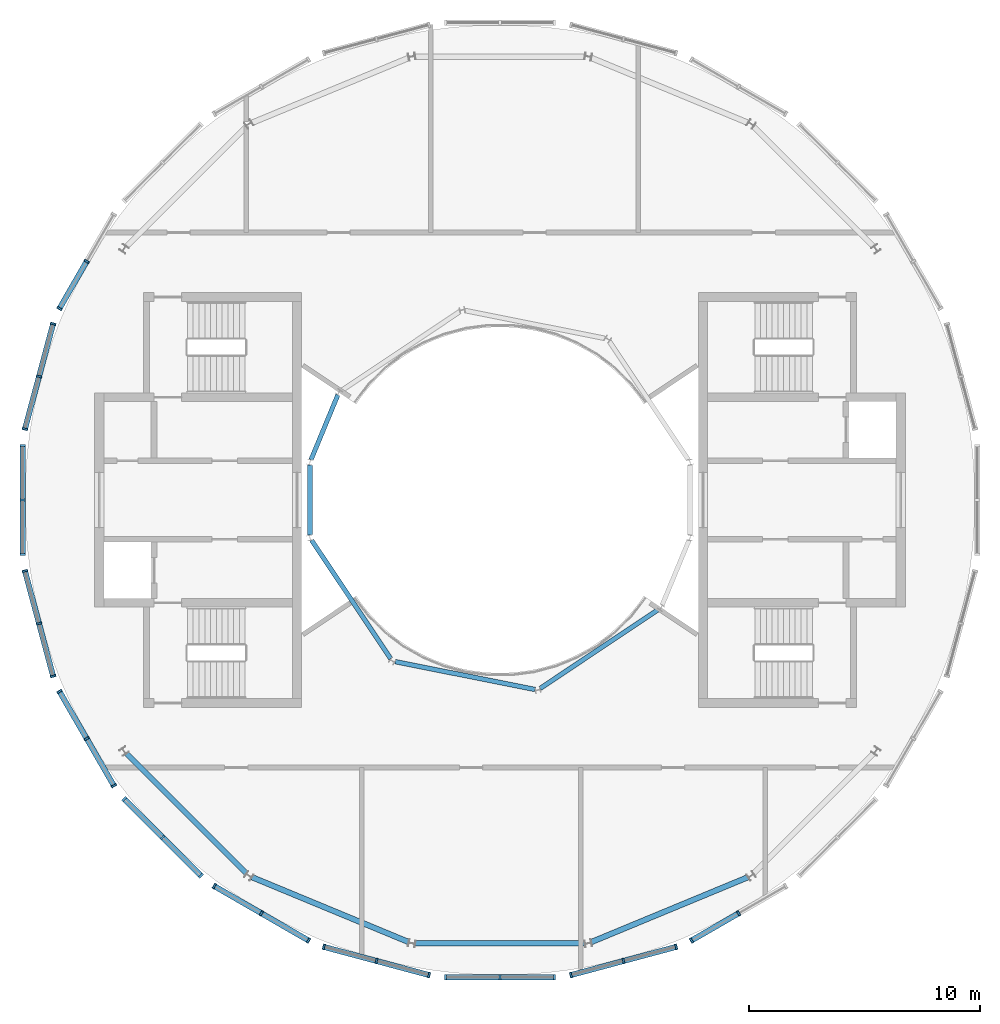
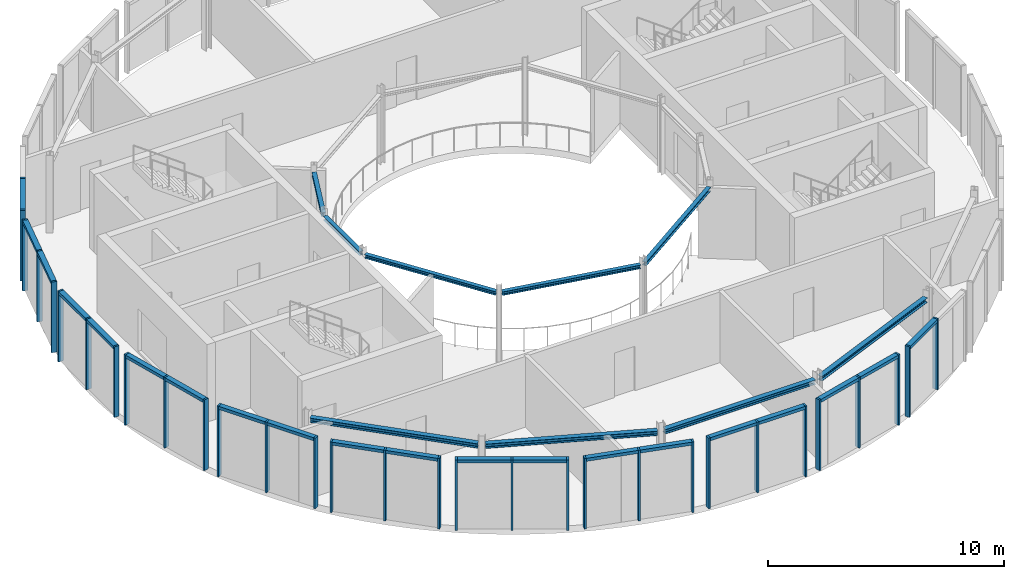
# One storey, part 4 of 12: 51 members, 9 beams, 11 elements without a shape of their own.
"""IFC4 building model written with IfcOpenShell, lengths in metres."""

from ifc_helpers import new_model, si_unit, direction, frame, origin, origin_2d, place, context, subcontext, project, spatial, rectangle, i_section, extrude, material, layer, layer_set, material_profile, profile_set, type_object, element, aggregate, save


model = new_model("IFC4")

# Units and contexts
model_context = context("Model", 3, precision=1e-05, world=origin(), true_north=direction((0.0, 1.0)))
body_context = subcontext(model_context, "Body", "Model", "MODEL_VIEW")
ifc_project = project(units=[si_unit("LENGTHUNIT", "METRE"), si_unit("AREAUNIT", "SQUARE_METRE"), si_unit("VOLUMEUNIT", "CUBIC_METRE"), si_unit("PLANEANGLEUNIT", "RADIAN"), si_unit("MASSUNIT", "GRAM", prefix="KILO")], contexts=[model_context])

# Site, building, storey
site_placement = place(None, origin())
site = spatial("IfcSite", under=ifc_project, at=site_placement, CompositionType="ELEMENT")
building_placement = place(site_placement, origin())
building = spatial("IfcBuilding", under=site, at=building_placement, Name="Maasbend Ring Residences", CompositionType="ELEMENT")
storey_placement = place(building_placement, frame((0.0, 0.0, 265.5)))
storey = spatial("IfcBuildingStorey", under=building, at=storey_placement, Name="L76", CompositionType="ELEMENT", Elevation=265.5)

# Curtain wall, members
ifc_material_1 = material(Name="Aluminium and clear glass", Category="aluminium")
ifc_layer = layer(ifc_material_1, 0.239990234375)
ifc_layer_set = layer_set([ifc_layer], Name="CW-CN")
curtain_wall_type = type_object("IfcCurtainWallType", Name="CW-CN", PredefinedType="NOTDEFINED", material=ifc_layer_set)
curtain_wall_1_placement = place(storey_placement, origin())
curtain_wall_1 = element("IfcCurtainWall", 1, at=curtain_wall_1_placement, inside=storey, type_object=curtain_wall_type, Name="Crown drum glazing 10 L76", PredefinedType="NOTDEFINED")
ifc_material_2 = material(Name="Aluminium 6063-T6", Category="aluminium")
ifc_material_profile_1 = material_profile(ifc_material_2, rectangle(XDim=0.239990234375, YDim=0.090087890625, at=origin_2d()), Name="AL 240x90")
ifc_profile_set_1 = profile_set([ifc_material_profile_1], Name="Aluminium 6063-T6")
member_type_1 = type_object("IfcMemberType", Name="CWM-CN", PredefinedType="MULLION", material=ifc_profile_set_1)
member_1_placement = place(storey_placement, frame((-17.91943359375, 10.345703125, 0.0), z_axis=(0.0, 0.0, 1.0), x_axis=(0.866025403784, -0.5, 0.0)))
member_1 = element("IfcMember", 2, at=member_1_placement, type_object=member_type_1, Name="Mullion crown cone", PredefinedType="MULLION", context=body_context, shape_type="SweptSolid", body=[
    extrude(rectangle(XDim=0.239990234375, YDim=0.090087890625, at=origin_2d()), origin(), (0.0, 0.0, 1.0), 3.64990234375),
])
member_2_placement = place(storey_placement, frame((-19.098876953125, 8.302734375, 0.0), z_axis=(0.0, 0.0, 1.0), x_axis=(0.866025403784, -0.5, 0.0)))
member_2 = element("IfcMember", 3, at=member_2_placement, type_object=member_type_1, Name="Mullion crown cone", PredefinedType="MULLION", context=body_context, shape_type="SweptSolid", body=[
    extrude(rectangle(XDim=0.239990234375, YDim=0.090087890625, at=origin_2d()), origin(), (0.0, 0.0, 1.0), 3.64990234375),
])

curtain_wall_2_placement = place(storey_placement, origin())
curtain_wall_2 = element("IfcCurtainWall", 4, at=curtain_wall_2_placement, inside=storey, type_object=curtain_wall_type, Name="Crown drum glazing 11 L76", PredefinedType="NOTDEFINED")
member_3_placement = place(storey_placement, frame((-19.375732421875, 7.634033203125, 0.0), z_axis=(0.0, 0.0, 1.0), x_axis=(0.965925826289, -0.258819045103, 0.0)))
member_3 = element("IfcMember", 5, at=member_3_placement, type_object=member_type_1, Name="Mullion crown cone", PredefinedType="MULLION", context=body_context, shape_type="SweptSolid", body=[
    extrude(rectangle(XDim=0.239990234375, YDim=0.090087890625, at=origin_2d()), origin(), (0.0, 0.0, 1.0), 3.64990234375),
])
member_4_placement = place(storey_placement, frame((-19.986328125, 5.355224609375, 0.0), z_axis=(0.0, 0.0, 1.0), x_axis=(0.965925826289, -0.258819045103, 0.0)))
member_4 = element("IfcMember", 6, at=member_4_placement, type_object=member_type_1, Name="Mullion crown cone", PredefinedType="MULLION", context=body_context, shape_type="SweptSolid", body=[
    extrude(rectangle(XDim=0.239990234375, YDim=0.090087890625, at=origin_2d()), origin(), (0.0, 0.0, 1.0), 3.64990234375),
])
member_5_placement = place(storey_placement, frame((-20.596923828125, 3.07666015625, 0.0), z_axis=(0.0, 0.0, 1.0), x_axis=(0.965925826289, -0.258819045103, 0.0)))
member_5 = element("IfcMember", 7, at=member_5_placement, type_object=member_type_1, Name="Mullion crown cone", PredefinedType="MULLION", context=body_context, shape_type="SweptSolid", body=[
    extrude(rectangle(XDim=0.239990234375, YDim=0.090087890625, at=origin_2d()), origin(), (0.0, 0.0, 1.0), 3.64990234375),
])

curtain_wall_3_placement = place(storey_placement, origin())
curtain_wall_3 = element("IfcCurtainWall", 8, at=curtain_wall_3_placement, inside=storey, type_object=curtain_wall_type, Name="Crown drum glazing 12 L76", PredefinedType="NOTDEFINED")
member_6_placement = place(storey_placement, frame((-20.69140625, 2.359130859375, 0.0), z_axis=(0.0, 0.0, 1.0), x_axis=(1.0, 0.0, 0.0)))
member_6 = element("IfcMember", 9, at=member_6_placement, type_object=member_type_1, Name="Mullion crown cone", PredefinedType="MULLION", context=body_context, shape_type="SweptSolid", body=[
    extrude(rectangle(XDim=0.239990234375, YDim=0.090087890625, at=origin_2d()), origin(), (0.0, 0.0, 1.0), 3.64990234375),
])
member_7_placement = place(storey_placement, frame((-20.69140625, 0.0, 0.0), z_axis=(0.0, 0.0, 1.0), x_axis=(1.0, 0.0, 0.0)))
member_7 = element("IfcMember", 10, at=member_7_placement, type_object=member_type_1, Name="Mullion crown cone", PredefinedType="MULLION", context=body_context, shape_type="SweptSolid", body=[
    extrude(rectangle(XDim=0.239990234375, YDim=0.090087890625, at=origin_2d()), origin(), (0.0, 0.0, 1.0), 3.64990234375),
])
member_8_placement = place(storey_placement, frame((-20.69140625, -2.359130859375, 0.0), z_axis=(0.0, 0.0, 1.0), x_axis=(1.0, 0.0, 0.0)))
member_8 = element("IfcMember", 11, at=member_8_placement, type_object=member_type_1, Name="Mullion crown cone", PredefinedType="MULLION", context=body_context, shape_type="SweptSolid", body=[
    extrude(rectangle(XDim=0.239990234375, YDim=0.090087890625, at=origin_2d()), origin(), (0.0, 0.0, 1.0), 3.64990234375),
])

curtain_wall_4_placement = place(storey_placement, origin())
curtain_wall_4 = element("IfcCurtainWall", 12, at=curtain_wall_4_placement, inside=storey, type_object=curtain_wall_type, Name="Crown drum glazing 13 L76", PredefinedType="NOTDEFINED")
member_9_placement = place(storey_placement, frame((-20.596923828125, -3.07666015625, 0.0), z_axis=(0.0, 0.0, 1.0), x_axis=(0.965925826289, 0.258819045103, 0.0)))
member_9 = element("IfcMember", 13, at=member_9_placement, type_object=member_type_1, Name="Mullion crown cone", PredefinedType="MULLION", context=body_context, shape_type="SweptSolid", body=[
    extrude(rectangle(XDim=0.239990234375, YDim=0.090087890625, at=origin_2d()), origin(), (0.0, 0.0, 1.0), 3.64990234375),
])
member_10_placement = place(storey_placement, frame((-19.986328125, -5.355224609375, 0.0), z_axis=(0.0, 0.0, 1.0), x_axis=(0.965925826289, 0.258819045103, 0.0)))
member_10 = element("IfcMember", 14, at=member_10_placement, type_object=member_type_1, Name="Mullion crown cone", PredefinedType="MULLION", context=body_context, shape_type="SweptSolid", body=[
    extrude(rectangle(XDim=0.239990234375, YDim=0.090087890625, at=origin_2d()), origin(), (0.0, 0.0, 1.0), 3.64990234375),
])
member_11_placement = place(storey_placement, frame((-19.375732421875, -7.634033203125, 0.0), z_axis=(0.0, 0.0, 1.0), x_axis=(0.965925826289, 0.258819045103, 0.0)))
member_11 = element("IfcMember", 15, at=member_11_placement, type_object=member_type_1, Name="Mullion crown cone", PredefinedType="MULLION", context=body_context, shape_type="SweptSolid", body=[
    extrude(rectangle(XDim=0.239990234375, YDim=0.090087890625, at=origin_2d()), origin(), (0.0, 0.0, 1.0), 3.64990234375),
])

curtain_wall_5_placement = place(storey_placement, origin())
curtain_wall_5 = element("IfcCurtainWall", 16, at=curtain_wall_5_placement, inside=storey, type_object=curtain_wall_type, Name="Crown drum glazing 14 L76", PredefinedType="NOTDEFINED")
member_12_placement = place(storey_placement, frame((-19.098876953125, -8.302734375, 0.0), z_axis=(0.0, 0.0, 1.0), x_axis=(0.866025403784, 0.5, 0.0)))
member_12 = element("IfcMember", 17, at=member_12_placement, type_object=member_type_1, Name="Mullion crown cone", PredefinedType="MULLION", context=body_context, shape_type="SweptSolid", body=[
    extrude(rectangle(XDim=0.239990234375, YDim=0.090087890625, at=origin_2d()), origin(), (0.0, 0.0, 1.0), 3.64990234375),
])
member_13_placement = place(storey_placement, frame((-17.91943359375, -10.345703125, 0.0), z_axis=(0.0, 0.0, 1.0), x_axis=(0.866025403784, 0.5, 0.0)))
member_13 = element("IfcMember", 18, at=member_13_placement, type_object=member_type_1, Name="Mullion crown cone", PredefinedType="MULLION", context=body_context, shape_type="SweptSolid", body=[
    extrude(rectangle(XDim=0.239990234375, YDim=0.090087890625, at=origin_2d()), origin(), (0.0, 0.0, 1.0), 3.64990234375),
])
member_14_placement = place(storey_placement, frame((-16.73974609375, -12.388671875, 0.0), z_axis=(0.0, 0.0, 1.0), x_axis=(0.866025403784, 0.5, 0.0)))
member_14 = element("IfcMember", 19, at=member_14_placement, type_object=member_type_1, Name="Mullion crown cone", PredefinedType="MULLION", context=body_context, shape_type="SweptSolid", body=[
    extrude(rectangle(XDim=0.239990234375, YDim=0.090087890625, at=origin_2d()), origin(), (0.0, 0.0, 1.0), 3.64990234375),
])

curtain_wall_6_placement = place(storey_placement, origin())
curtain_wall_6 = element("IfcCurtainWall", 20, at=curtain_wall_6_placement, inside=storey, type_object=curtain_wall_type, Name="Crown drum glazing 15 L76", PredefinedType="NOTDEFINED")
member_15_placement = place(storey_placement, frame((-16.299072265625, -12.962890625, 0.0), z_axis=(0.0, 0.0, 1.0), x_axis=(0.707106781187, 0.707106781187, 0.0)))
member_15 = element("IfcMember", 21, at=member_15_placement, type_object=member_type_1, Name="Mullion crown cone", PredefinedType="MULLION", context=body_context, shape_type="SweptSolid", body=[
    extrude(rectangle(XDim=0.239990234375, YDim=0.090087890625, at=origin_2d()), origin(), (0.0, 0.0, 1.0), 3.64990234375),
])
member_16_placement = place(storey_placement, frame((-14.631103515625, -14.631103515625, 0.0), z_axis=(0.0, 0.0, 1.0), x_axis=(0.707106781187, 0.707106781187, 0.0)))
member_16 = element("IfcMember", 22, at=member_16_placement, type_object=member_type_1, Name="Mullion crown cone", PredefinedType="MULLION", context=body_context, shape_type="SweptSolid", body=[
    extrude(rectangle(XDim=0.239990234375, YDim=0.090087890625, at=origin_2d()), origin(), (0.0, 0.0, 1.0), 3.64990234375),
])
member_17_placement = place(storey_placement, frame((-12.962890625, -16.299072265625, 0.0), z_axis=(0.0, 0.0, 1.0), x_axis=(0.707106781187, 0.707106781187, 0.0)))
member_17 = element("IfcMember", 23, at=member_17_placement, type_object=member_type_1, Name="Mullion crown cone", PredefinedType="MULLION", context=body_context, shape_type="SweptSolid", body=[
    extrude(rectangle(XDim=0.239990234375, YDim=0.090087890625, at=origin_2d()), origin(), (0.0, 0.0, 1.0), 3.64990234375),
])

curtain_wall_7_placement = place(storey_placement, origin())
curtain_wall_7 = element("IfcCurtainWall", 24, at=curtain_wall_7_placement, inside=storey, type_object=curtain_wall_type, Name="Crown drum glazing 16 L76", PredefinedType="NOTDEFINED")
member_18_placement = place(storey_placement, frame((-12.388671875, -16.73974609375, 0.0), z_axis=(0.0, 0.0, 1.0), x_axis=(0.5, 0.866025403784, 0.0)))
member_18 = element("IfcMember", 25, at=member_18_placement, type_object=member_type_1, Name="Mullion crown cone", PredefinedType="MULLION", context=body_context, shape_type="SweptSolid", body=[
    extrude(rectangle(XDim=0.239990234375, YDim=0.090087890625, at=origin_2d()), origin(), (0.0, 0.0, 1.0), 3.64990234375),
])
member_19_placement = place(storey_placement, frame((-10.345703125, -17.91943359375, 0.0), z_axis=(0.0, 0.0, 1.0), x_axis=(0.5, 0.866025403784, 0.0)))
member_19 = element("IfcMember", 26, at=member_19_placement, type_object=member_type_1, Name="Mullion crown cone", PredefinedType="MULLION", context=body_context, shape_type="SweptSolid", body=[
    extrude(rectangle(XDim=0.239990234375, YDim=0.090087890625, at=origin_2d()), origin(), (0.0, 0.0, 1.0), 3.64990234375),
])
member_20_placement = place(storey_placement, frame((-8.302734375, -19.098876953125, 0.0), z_axis=(0.0, 0.0, 1.0), x_axis=(0.5, 0.866025403784, 0.0)))
member_20 = element("IfcMember", 27, at=member_20_placement, type_object=member_type_1, Name="Mullion crown cone", PredefinedType="MULLION", context=body_context, shape_type="SweptSolid", body=[
    extrude(rectangle(XDim=0.239990234375, YDim=0.090087890625, at=origin_2d()), origin(), (0.0, 0.0, 1.0), 3.64990234375),
])

curtain_wall_8_placement = place(storey_placement, origin())
curtain_wall_8 = element("IfcCurtainWall", 28, at=curtain_wall_8_placement, inside=storey, type_object=curtain_wall_type, Name="Crown drum glazing 17 L76", PredefinedType="NOTDEFINED")
member_21_placement = place(storey_placement, frame((-7.634033203125, -19.375732421875, 0.0), z_axis=(0.0, 0.0, 1.0), x_axis=(0.258819045103, 0.965925826289, 0.0)))
member_21 = element("IfcMember", 29, at=member_21_placement, type_object=member_type_1, Name="Mullion crown cone", PredefinedType="MULLION", context=body_context, shape_type="SweptSolid", body=[
    extrude(rectangle(XDim=0.239990234375, YDim=0.090087890625, at=origin_2d()), origin(), (0.0, 0.0, 1.0), 3.64990234375),
])
member_22_placement = place(storey_placement, frame((-5.355224609375, -19.986328125, 0.0), z_axis=(0.0, 0.0, 1.0), x_axis=(0.258819045103, 0.965925826289, 0.0)))
member_22 = element("IfcMember", 30, at=member_22_placement, type_object=member_type_1, Name="Mullion crown cone", PredefinedType="MULLION", context=body_context, shape_type="SweptSolid", body=[
    extrude(rectangle(XDim=0.239990234375, YDim=0.090087890625, at=origin_2d()), origin(), (0.0, 0.0, 1.0), 3.64990234375),
])
member_23_placement = place(storey_placement, frame((-3.07666015625, -20.596923828125, 0.0), z_axis=(0.0, 0.0, 1.0), x_axis=(0.258819045103, 0.965925826289, 0.0)))
member_23 = element("IfcMember", 31, at=member_23_placement, type_object=member_type_1, Name="Mullion crown cone", PredefinedType="MULLION", context=body_context, shape_type="SweptSolid", body=[
    extrude(rectangle(XDim=0.239990234375, YDim=0.090087890625, at=origin_2d()), origin(), (0.0, 0.0, 1.0), 3.64990234375),
])

curtain_wall_9_placement = place(storey_placement, origin())
curtain_wall_9 = element("IfcCurtainWall", 32, at=curtain_wall_9_placement, inside=storey, type_object=curtain_wall_type, Name="Crown drum glazing 18 L76", PredefinedType="NOTDEFINED")
member_24_placement = place(storey_placement, frame((-2.359130859375, -20.69140625, 0.0), z_axis=(0.0, 0.0, 1.0), x_axis=(0.0, 1.0, 0.0)))
member_24 = element("IfcMember", 33, at=member_24_placement, type_object=member_type_1, Name="Mullion crown cone", PredefinedType="MULLION", context=body_context, shape_type="SweptSolid", body=[
    extrude(rectangle(XDim=0.239990234375, YDim=0.090087890625, at=origin_2d()), origin(), (0.0, 0.0, 1.0), 3.64990234375),
])
member_25_placement = place(storey_placement, frame((0.0, -20.69140625, 0.0), z_axis=(0.0, 0.0, 1.0), x_axis=(0.0, 1.0, 0.0)))
member_25 = element("IfcMember", 34, at=member_25_placement, type_object=member_type_1, Name="Mullion crown cone", PredefinedType="MULLION", context=body_context, shape_type="SweptSolid", body=[
    extrude(rectangle(XDim=0.239990234375, YDim=0.090087890625, at=origin_2d()), origin(), (0.0, 0.0, 1.0), 3.64990234375),
])
member_26_placement = place(storey_placement, frame((2.359130859375, -20.69140625, 0.0), z_axis=(0.0, 0.0, 1.0), x_axis=(0.0, 1.0, 0.0)))
member_26 = element("IfcMember", 35, at=member_26_placement, type_object=member_type_1, Name="Mullion crown cone", PredefinedType="MULLION", context=body_context, shape_type="SweptSolid", body=[
    extrude(rectangle(XDim=0.239990234375, YDim=0.090087890625, at=origin_2d()), origin(), (0.0, 0.0, 1.0), 3.64990234375),
])

curtain_wall_10_placement = place(storey_placement, origin())
curtain_wall_10 = element("IfcCurtainWall", 36, at=curtain_wall_10_placement, inside=storey, type_object=curtain_wall_type, Name="Crown drum glazing 19 L76", PredefinedType="NOTDEFINED")
member_27_placement = place(storey_placement, frame((3.07666015625, -20.596923828125, 0.0), z_axis=(0.0, 0.0, 1.0), x_axis=(-0.258819045103, 0.965925826289, 0.0)))
member_27 = element("IfcMember", 37, at=member_27_placement, type_object=member_type_1, Name="Mullion crown cone", PredefinedType="MULLION", context=body_context, shape_type="SweptSolid", body=[
    extrude(rectangle(XDim=0.239990234375, YDim=0.090087890625, at=origin_2d()), origin(), (0.0, 0.0, 1.0), 3.64990234375),
])
member_28_placement = place(storey_placement, frame((5.355224609375, -19.986328125, 0.0), z_axis=(0.0, 0.0, 1.0), x_axis=(-0.258819045103, 0.965925826289, 0.0)))
member_28 = element("IfcMember", 38, at=member_28_placement, type_object=member_type_1, Name="Mullion crown cone", PredefinedType="MULLION", context=body_context, shape_type="SweptSolid", body=[
    extrude(rectangle(XDim=0.239990234375, YDim=0.090087890625, at=origin_2d()), origin(), (0.0, 0.0, 1.0), 3.64990234375),
])
member_29_placement = place(storey_placement, frame((7.634033203125, -19.375732421875, 0.0), z_axis=(0.0, 0.0, 1.0), x_axis=(-0.258819045103, 0.965925826289, 0.0)))
member_29 = element("IfcMember", 39, at=member_29_placement, type_object=member_type_1, Name="Mullion crown cone", PredefinedType="MULLION", context=body_context, shape_type="SweptSolid", body=[
    extrude(rectangle(XDim=0.239990234375, YDim=0.090087890625, at=origin_2d()), origin(), (0.0, 0.0, 1.0), 3.64990234375),
])

curtain_wall_11_placement = place(storey_placement, origin())
curtain_wall_11 = element("IfcCurtainWall", 40, at=curtain_wall_11_placement, inside=storey, type_object=curtain_wall_type, Name="Crown drum glazing 20 L76", PredefinedType="NOTDEFINED")
member_30_placement = place(storey_placement, frame((8.302734375, -19.098876953125, 0.0), z_axis=(0.0, 0.0, 1.0), x_axis=(-0.5, 0.866025403784, 0.0)))
member_30 = element("IfcMember", 41, at=member_30_placement, type_object=member_type_1, Name="Mullion crown cone", PredefinedType="MULLION", context=body_context, shape_type="SweptSolid", body=[
    extrude(rectangle(XDim=0.239990234375, YDim=0.090087890625, at=origin_2d()), origin(), (0.0, 0.0, 1.0), 3.64990234375),
])
member_31_placement = place(storey_placement, frame((10.345703125, -17.91943359375, 0.0), z_axis=(0.0, 0.0, 1.0), x_axis=(-0.5, 0.866025403784, 0.0)))
member_31 = element("IfcMember", 42, at=member_31_placement, type_object=member_type_1, Name="Mullion crown cone", PredefinedType="MULLION", context=body_context, shape_type="SweptSolid", body=[
    extrude(rectangle(XDim=0.239990234375, YDim=0.090087890625, at=origin_2d()), origin(), (0.0, 0.0, 1.0), 3.64990234375),
])

# Member
ifc_material_3 = material(Name="Aluminium 6063-T6", Category="aluminium")
ifc_material_profile_2 = material_profile(ifc_material_3, rectangle(XDim=0.239990234375, YDim=0.159912109375, at=origin_2d()), Name="AL 240x160")
ifc_profile_set_2 = profile_set([ifc_material_profile_2], Name="Aluminium 6063-T6")
member_type_2 = type_object("IfcMemberType", Name="CWT-CN", PredefinedType="USERDEFINED", material=ifc_profile_set_2)
member_32_placement = place(storey_placement, frame((-17.94189453125, 10.306640625, 3.570068359375), z_axis=(-0.49999255039, -0.866029704776, 0.0), x_axis=(0.866029704776, -0.49999255039, 0.0)))
member_32 = element("IfcMember", 43, at=member_32_placement, type_object=member_type_2, Name="Transom crown cone", ObjectType="TRANSOM", PredefinedType="USERDEFINED", context=body_context, shape_type="SweptSolid", body=[
    extrude(rectangle(XDim=0.239990234375, YDim=0.159912109375, at=origin_2d()), origin(), (0.0, 0.0, 1.0), 2.26904296875),
])

aggregate(curtain_wall_1, [member_1, member_2, member_32])

member_33_placement = place(storey_placement, frame((-19.387451171875, 7.590576171875, 3.570068359375), z_axis=(-0.258881296667, -0.965909143883, 0.0), x_axis=(0.965909143883, -0.258881296667, 0.0)))
member_33 = element("IfcMember", 44, at=member_33_placement, type_object=member_type_2, Name="Transom crown cone", ObjectType="TRANSOM", PredefinedType="USERDEFINED", context=body_context, shape_type="SweptSolid", body=[
    extrude(rectangle(XDim=0.239990234375, YDim=0.159912109375, at=origin_2d()), origin(), (0.0, 0.0, 1.0), 2.26904296875),
])

member_34_placement = place(storey_placement, frame((-19.998046875, 5.311767578125, 3.570068359375), z_axis=(-0.258881296667, -0.965909143883, 0.0), x_axis=(0.965909143883, -0.258881296667, 0.0)))
member_34 = element("IfcMember", 45, at=member_34_placement, type_object=member_type_2, Name="Transom crown cone", ObjectType="TRANSOM", PredefinedType="USERDEFINED", context=body_context, shape_type="SweptSolid", body=[
    extrude(rectangle(XDim=0.239990234375, YDim=0.159912109375, at=origin_2d()), origin(), (0.0, 0.0, 1.0), 2.26904296875),
])

aggregate(curtain_wall_2, [member_3, member_4, member_5, member_33, member_34])

member_35_placement = place(storey_placement, frame((-20.69140625, 2.31396484375, 3.570068359375), z_axis=(0.0, -1.0, 0.0), x_axis=(1.0, 0.0, 0.0)))
member_35 = element("IfcMember", 46, at=member_35_placement, type_object=member_type_2, Name="Transom crown cone", ObjectType="TRANSOM", PredefinedType="USERDEFINED", context=body_context, shape_type="SweptSolid", body=[
    extrude(rectangle(XDim=0.239990234375, YDim=0.159912109375, at=origin_2d()), origin(), (0.0, 0.0, 1.0), 2.26904296875),
])

member_36_placement = place(storey_placement, frame((-20.69140625, -0.044921875, 3.570068359375), z_axis=(0.0, -1.0, 0.0), x_axis=(1.0, 0.0, 0.0)))
member_36 = element("IfcMember", 47, at=member_36_placement, type_object=member_type_2, Name="Transom crown cone", ObjectType="TRANSOM", PredefinedType="USERDEFINED", context=body_context, shape_type="SweptSolid", body=[
    extrude(rectangle(XDim=0.239990234375, YDim=0.159912109375, at=origin_2d()), origin(), (0.0, 0.0, 1.0), 2.26904296875),
])

aggregate(curtain_wall_3, [member_6, member_7, member_8, member_35, member_36])

member_37_placement = place(storey_placement, frame((-20.58544921875, -3.1201171875, 3.570068359375), z_axis=(0.258881296667, -0.965909143883, 0.0), x_axis=(0.965909143883, 0.258881296667, 0.0)))
member_37 = element("IfcMember", 48, at=member_37_placement, type_object=member_type_2, Name="Transom crown cone", ObjectType="TRANSOM", PredefinedType="USERDEFINED", context=body_context, shape_type="SweptSolid", body=[
    extrude(rectangle(XDim=0.239990234375, YDim=0.159912109375, at=origin_2d()), origin(), (0.0, 0.0, 1.0), 2.26904296875),
])

member_38_placement = place(storey_placement, frame((-19.974853515625, -5.39892578125, 3.570068359375), z_axis=(0.258881296667, -0.965909143883, 0.0), x_axis=(0.965909143883, 0.258881296667, 0.0)))
member_38 = element("IfcMember", 49, at=member_38_placement, type_object=member_type_2, Name="Transom crown cone", ObjectType="TRANSOM", PredefinedType="USERDEFINED", context=body_context, shape_type="SweptSolid", body=[
    extrude(rectangle(XDim=0.239990234375, YDim=0.159912109375, at=origin_2d()), origin(), (0.0, 0.0, 1.0), 2.26904296875),
])

aggregate(curtain_wall_4, [member_9, member_10, member_11, member_37, member_38])

member_39_placement = place(storey_placement, frame((-19.076416015625, -8.341552734375, 3.570068359375), z_axis=(0.49999255039, -0.866029704776, 0.0), x_axis=(0.866029704776, 0.49999255039, 0.0)))
member_39 = element("IfcMember", 50, at=member_39_placement, type_object=member_type_2, Name="Transom crown cone", ObjectType="TRANSOM", PredefinedType="USERDEFINED", context=body_context, shape_type="SweptSolid", body=[
    extrude(rectangle(XDim=0.239990234375, YDim=0.159912109375, at=origin_2d()), origin(), (0.0, 0.0, 1.0), 2.26904296875),
])

member_40_placement = place(storey_placement, frame((-17.896728515625, -10.384765625, 3.570068359375), z_axis=(0.49999255039, -0.866029704776, 0.0), x_axis=(0.866029704776, 0.49999255039, 0.0)))
member_40 = element("IfcMember", 51, at=member_40_placement, type_object=member_type_2, Name="Transom crown cone", ObjectType="TRANSOM", PredefinedType="USERDEFINED", context=body_context, shape_type="SweptSolid", body=[
    extrude(rectangle(XDim=0.239990234375, YDim=0.159912109375, at=origin_2d()), origin(), (0.0, 0.0, 1.0), 2.26904296875),
])

aggregate(curtain_wall_5, [member_12, member_13, member_14, member_39, member_40])

member_41_placement = place(storey_placement, frame((-16.267333984375, -12.994873046875, 3.570068359375), z_axis=(0.707106781187, -0.707106781187, 0.0), x_axis=(0.707106781187, 0.707106781187, 0.0)))
member_41 = element("IfcMember", 52, at=member_41_placement, type_object=member_type_2, Name="Transom crown cone", ObjectType="TRANSOM", PredefinedType="USERDEFINED", context=body_context, shape_type="SweptSolid", body=[
    extrude(rectangle(XDim=0.239990234375, YDim=0.159912109375, at=origin_2d()), origin(), (0.0, 0.0, 1.0), 2.26904296875),
])

member_42_placement = place(storey_placement, frame((-14.599365234375, -14.662841796875, 3.570068359375), z_axis=(0.707106781187, -0.707106781187, 0.0), x_axis=(0.707106781187, 0.707106781187, 0.0)))
member_42 = element("IfcMember", 53, at=member_42_placement, type_object=member_type_2, Name="Transom crown cone", ObjectType="TRANSOM", PredefinedType="USERDEFINED", context=body_context, shape_type="SweptSolid", body=[
    extrude(rectangle(XDim=0.239990234375, YDim=0.159912109375, at=origin_2d()), origin(), (0.0, 0.0, 1.0), 2.26904296875),
])

aggregate(curtain_wall_6, [member_15, member_16, member_17, member_41, member_42])

member_43_placement = place(storey_placement, frame((-12.349853515625, -16.76220703125, 3.570068359375), z_axis=(0.866029704776, -0.49999255039, 0.0), x_axis=(0.49999255039, 0.866029704776, 0.0)))
member_43 = element("IfcMember", 54, at=member_43_placement, type_object=member_type_2, Name="Transom crown cone", ObjectType="TRANSOM", PredefinedType="USERDEFINED", context=body_context, shape_type="SweptSolid", body=[
    extrude(rectangle(XDim=0.239990234375, YDim=0.159912109375, at=origin_2d()), origin(), (0.0, 0.0, 1.0), 2.26904296875),
])

member_44_placement = place(storey_placement, frame((-10.306640625, -17.94189453125, 3.570068359375), z_axis=(0.866029704776, -0.49999255039, 0.0), x_axis=(0.49999255039, 0.866029704776, 0.0)))
member_44 = element("IfcMember", 55, at=member_44_placement, type_object=member_type_2, Name="Transom crown cone", ObjectType="TRANSOM", PredefinedType="USERDEFINED", context=body_context, shape_type="SweptSolid", body=[
    extrude(rectangle(XDim=0.239990234375, YDim=0.159912109375, at=origin_2d()), origin(), (0.0, 0.0, 1.0), 2.26904296875),
])

aggregate(curtain_wall_7, [member_18, member_19, member_20, member_43, member_44])

member_45_placement = place(storey_placement, frame((-7.590576171875, -19.387451171875, 3.570068359375), z_axis=(0.965909143883, -0.258881296667, 0.0), x_axis=(0.258881296667, 0.965909143883, 0.0)))
member_45 = element("IfcMember", 56, at=member_45_placement, type_object=member_type_2, Name="Transom crown cone", ObjectType="TRANSOM", PredefinedType="USERDEFINED", context=body_context, shape_type="SweptSolid", body=[
    extrude(rectangle(XDim=0.239990234375, YDim=0.159912109375, at=origin_2d()), origin(), (0.0, 0.0, 1.0), 2.26904296875),
])

member_46_placement = place(storey_placement, frame((-5.311767578125, -19.998046875, 3.570068359375), z_axis=(0.965909143883, -0.258881296667, 0.0), x_axis=(0.258881296667, 0.965909143883, 0.0)))
member_46 = element("IfcMember", 57, at=member_46_placement, type_object=member_type_2, Name="Transom crown cone", ObjectType="TRANSOM", PredefinedType="USERDEFINED", context=body_context, shape_type="SweptSolid", body=[
    extrude(rectangle(XDim=0.239990234375, YDim=0.159912109375, at=origin_2d()), origin(), (0.0, 0.0, 1.0), 2.26904296875),
])

aggregate(curtain_wall_8, [member_21, member_22, member_23, member_45, member_46])

member_47_placement = place(storey_placement, frame((-2.31396484375, -20.69140625, 3.570068359375), z_axis=(1.0, 0.0, 0.0), x_axis=(0.0, 1.0, 0.0)))
member_47 = element("IfcMember", 58, at=member_47_placement, type_object=member_type_2, Name="Transom crown cone", ObjectType="TRANSOM", PredefinedType="USERDEFINED", context=body_context, shape_type="SweptSolid", body=[
    extrude(rectangle(XDim=0.239990234375, YDim=0.159912109375, at=origin_2d()), origin(), (0.0, 0.0, 1.0), 2.26904296875),
])

member_48_placement = place(storey_placement, frame((0.044921875, -20.69140625, 3.570068359375), z_axis=(1.0, 0.0, 0.0), x_axis=(0.0, 1.0, 0.0)))
member_48 = element("IfcMember", 59, at=member_48_placement, type_object=member_type_2, Name="Transom crown cone", ObjectType="TRANSOM", PredefinedType="USERDEFINED", context=body_context, shape_type="SweptSolid", body=[
    extrude(rectangle(XDim=0.239990234375, YDim=0.159912109375, at=origin_2d()), origin(), (0.0, 0.0, 1.0), 2.26904296875),
])

aggregate(curtain_wall_9, [member_24, member_25, member_26, member_47, member_48])

member_49_placement = place(storey_placement, frame((3.1201171875, -20.58544921875, 3.570068359375), z_axis=(0.965909143883, 0.258881296667, 0.0), x_axis=(-0.258881296667, 0.965909143883, 0.0)))
member_49 = element("IfcMember", 60, at=member_49_placement, type_object=member_type_2, Name="Transom crown cone", ObjectType="TRANSOM", PredefinedType="USERDEFINED", context=body_context, shape_type="SweptSolid", body=[
    extrude(rectangle(XDim=0.239990234375, YDim=0.159912109375, at=origin_2d()), origin(), (0.0, 0.0, 1.0), 2.26904296875),
])

member_50_placement = place(storey_placement, frame((5.39892578125, -19.974853515625, 3.570068359375), z_axis=(0.965909143883, 0.258881296667, 0.0), x_axis=(-0.258881296667, 0.965909143883, 0.0)))
member_50 = element("IfcMember", 61, at=member_50_placement, type_object=member_type_2, Name="Transom crown cone", ObjectType="TRANSOM", PredefinedType="USERDEFINED", context=body_context, shape_type="SweptSolid", body=[
    extrude(rectangle(XDim=0.239990234375, YDim=0.159912109375, at=origin_2d()), origin(), (0.0, 0.0, 1.0), 2.26904296875),
])

aggregate(curtain_wall_10, [member_27, member_28, member_29, member_49, member_50])

member_51_placement = place(storey_placement, frame((8.341552734375, -19.076416015625, 3.570068359375), z_axis=(0.866029704776, 0.49999255039, 0.0), x_axis=(-0.49999255039, 0.866029704776, 0.0)))
member_51 = element("IfcMember", 62, at=member_51_placement, type_object=member_type_2, Name="Transom crown cone", ObjectType="TRANSOM", PredefinedType="USERDEFINED", context=body_context, shape_type="SweptSolid", body=[
    extrude(rectangle(XDim=0.239990234375, YDim=0.159912109375, at=origin_2d()), origin(), (0.0, 0.0, 1.0), 2.26904296875),
])

aggregate(curtain_wall_11, [member_30, member_31, member_51])

# Beams
ifc_material_4 = material(Name="Steel S355J2", Category="steel")
ifc_material_profile_3 = material_profile(ifc_material_4, i_section(OverallWidth=0.239990234375, OverallDepth=0.22998046875, WebThickness=0.007568359375, FlangeThickness=0.011962890625, FilletRadius=0.02099609375, at=origin_2d()), Name="HEA 240")
ifc_profile_set_3 = profile_set([ifc_material_profile_3], Name="Steel S355J2")
beam_type_1 = type_object("IfcBeamType", Name="Corridor ring beam HEA 240", PredefinedType="BEAM", material=ifc_profile_set_3)
beam_1_placement = place(storey_placement, frame((-16.188720703125, -10.997314453125, 3.534912109375), z_axis=(0.707106781187, -0.707106781187, 0.0), x_axis=(0.707106781187, 0.707106781187, 0.0)))
element("IfcBeam", 63, at=beam_1_placement, inside=storey, type_object=beam_type_1, Name="Corridor ring beam", PredefinedType="BEAM", context=body_context, shape_type="SweptSolid", body=[
    extrude(i_section(OverallWidth=0.239990234375, OverallDepth=0.22998046875, WebThickness=0.007568359375, FlangeThickness=0.011962890625, FilletRadius=0.02099609375, at=origin_2d()), origin(), (0.0, 0.0, 1.0), 7.341796875),
])
beam_2_placement = place(storey_placement, frame((-10.747802734375, -16.355224609375, 3.534912109375), z_axis=(0.923875784142, -0.382692481603, 0.0), x_axis=(0.382692481603, 0.923875784142, 0.0)))
element("IfcBeam", 64, at=beam_2_placement, inside=storey, type_object=beam_type_1, Name="Corridor ring beam", PredefinedType="BEAM", context=body_context, shape_type="SweptSolid", body=[
    extrude(i_section(OverallWidth=0.239990234375, OverallDepth=0.22998046875, WebThickness=0.007568359375, FlangeThickness=0.011962890625, FilletRadius=0.02099609375, at=origin_2d()), origin(), (0.0, 0.0, 1.0), 7.341552734375),
])
beam_3_placement = place(storey_placement, frame((-3.6708984375, -19.223388671875, 3.534912109375), z_axis=(1.0, 0.0, 0.0), x_axis=(0.0, 1.0, 0.0)))
element("IfcBeam", 65, at=beam_3_placement, inside=storey, type_object=beam_type_1, Name="Corridor ring beam", PredefinedType="BEAM", context=body_context, shape_type="SweptSolid", body=[
    extrude(i_section(OverallWidth=0.239990234375, OverallDepth=0.22998046875, WebThickness=0.007568359375, FlangeThickness=0.011962890625, FilletRadius=0.02099609375, at=origin_2d()), origin(), (0.0, 0.0, 1.0), 7.341796875),
])
beam_4_placement = place(storey_placement, frame((3.965087890625, -19.164794921875, 3.534912109375), z_axis=(0.923875784142, 0.382692481603, 0.0), x_axis=(-0.382692481603, 0.923875784142, 0.0)))
element("IfcBeam", 66, at=beam_4_placement, inside=storey, type_object=beam_type_1, Name="Corridor ring beam", PredefinedType="BEAM", context=body_context, shape_type="SweptSolid", body=[
    extrude(i_section(OverallWidth=0.239990234375, OverallDepth=0.22998046875, WebThickness=0.007568359375, FlangeThickness=0.011962890625, FilletRadius=0.02099609375, at=origin_2d()), origin(), (0.0, 0.0, 1.0), 7.341552734375),
])
ifc_material_5 = material(Name="Steel S355J2", Category="steel")
ifc_material_profile_4 = material_profile(ifc_material_5, i_section(OverallWidth=0.199951171875, OverallDepth=0.18994140625, WebThickness=0.006591796875, FlangeThickness=0.010009765625, FilletRadius=0.01806640625, at=origin_2d()), Name="HEA 200")
ifc_profile_set_4 = profile_set([ifc_material_profile_4], Name="Steel S355J2")
beam_type_2 = type_object("IfcBeamType", Name="Well edge beam HEA 200", PredefinedType="BEAM", material=ifc_profile_set_4)
for number, where, z_axis, x_axis, name in (
    (67, (-7.029296875, 4.55859375, 3.554931640625), (-0.382609241817, -0.923910259753, 0.0), (0.923910259753, -0.382609241817, 0.0), "Well edge beam"),
    (68, (-8.238525390625, 1.521484375, 3.554931640625), (0.0, -1.0, 0.0), (1.0, 0.0, 0.0), "Well edge beam"),
):
    element("IfcBeam", number, at=place(storey_placement, frame(where, z_axis=z_axis, x_axis=x_axis)), inside=storey, type_object=beam_type_2, Name=name, PredefinedType="BEAM", context=body_context, shape_type="SweptSolid", body=[
        extrude(i_section(OverallWidth=0.199951171875, OverallDepth=0.18994140625, WebThickness=0.006591796875, FlangeThickness=0.010009765625, FilletRadius=0.01806640625, at=origin_2d()), origin(), (0.0, 0.0, 1.0), 3.04296875),
    ])
for number, where, z_axis, x_axis, name in (
    (69, (-8.16943359375, -1.7421875, 3.554931640625), (0.555547729421, -0.831484648286, 0.0), (0.831484648286, 0.555547729421, 0.0), "Well edge beam"),
    (70, (-4.544677734375, -7.008544921875, 3.554931640625), (0.98078072474, -0.195113223486, 0.0), (0.195113223486, 0.98078072474, 0.0), "Well edge beam"),
    (71, (1.7421875, -8.16943359375, 3.554931640625), (0.831484648286, 0.555547729421, 0.0), (-0.555547729421, 0.831484648286, 0.0), "Well edge beam"),
):
    element("IfcBeam", number, at=place(storey_placement, frame(where, z_axis=z_axis, x_axis=x_axis)), inside=storey, type_object=beam_type_2, Name=name, PredefinedType="BEAM", context=body_context, shape_type="SweptSolid", body=[
        extrude(i_section(OverallWidth=0.199951171875, OverallDepth=0.18994140625, WebThickness=0.006591796875, FlangeThickness=0.010009765625, FilletRadius=0.01806640625, at=origin_2d()), origin(), (0.0, 0.0, 1.0), 6.18017578125),
    ])

save(model, "model.ifc")
